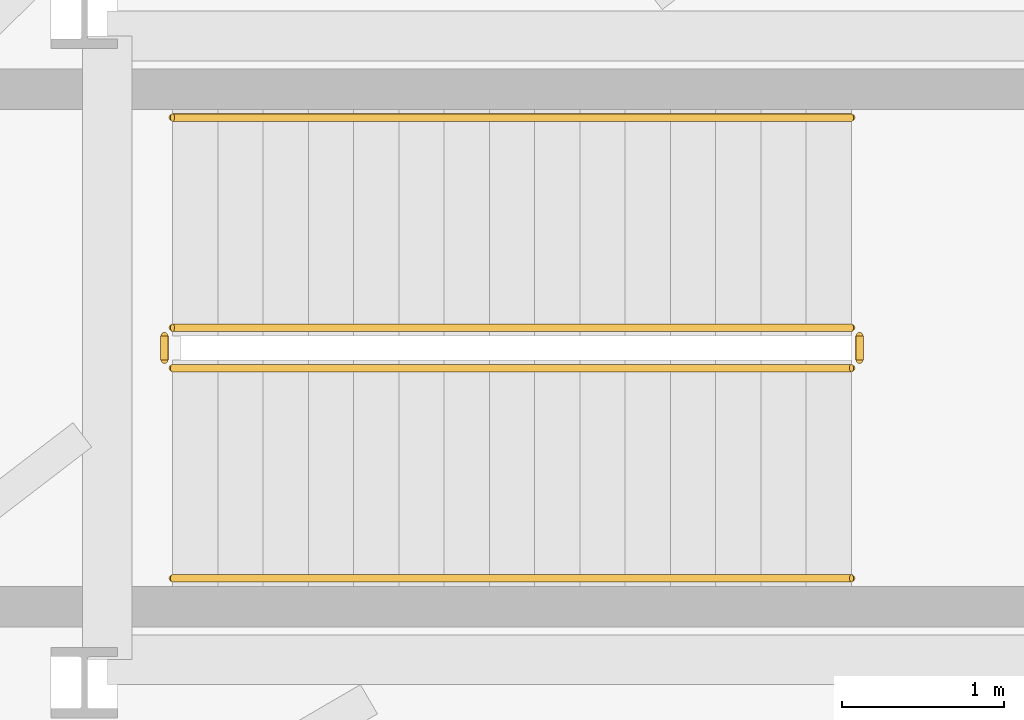
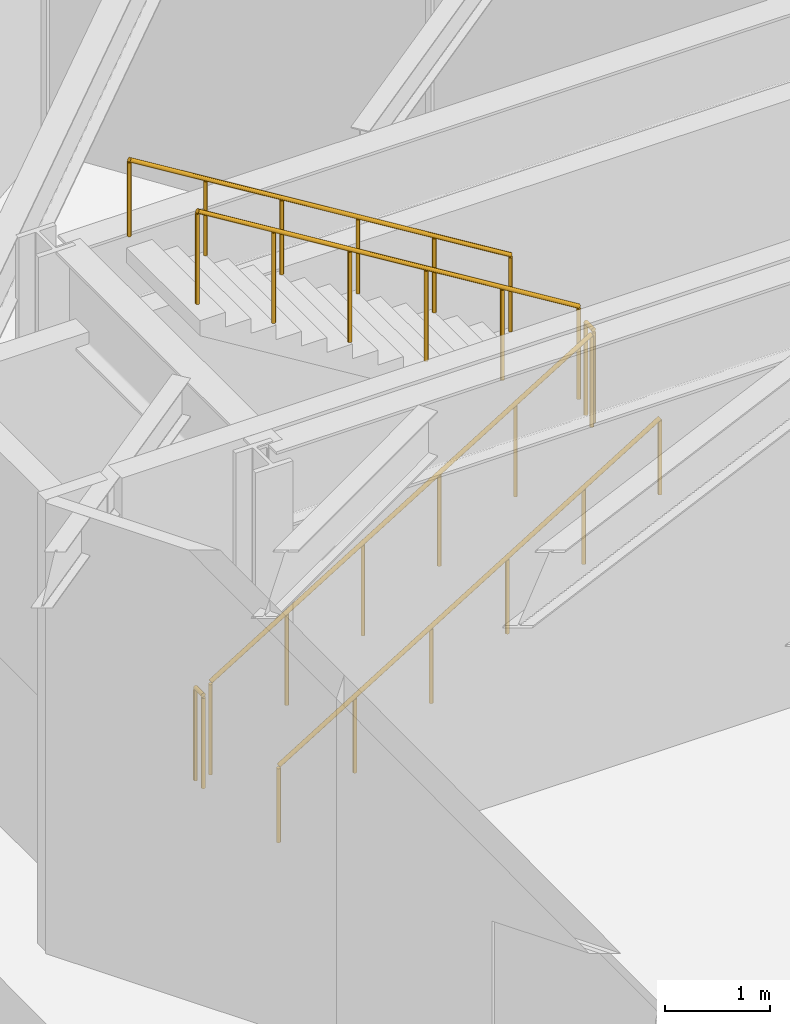
# One storey, part 30 of 30: 6 railings.
"""IFC4 building model written with IfcOpenShell, lengths in metres."""

from ifc_helpers import new_model, si_unit, direction, frame, origin, origin_2d, place, context, subcontext, project, spatial, circle, extrude, material, type_object, element, save


model = new_model("IFC4")

# Units and contexts
model_context = context("Model", 3, precision=1e-05, world=origin(), true_north=direction((0.0, 1.0)))
body_context = subcontext(model_context, "Body", "Model", "MODEL_VIEW")
ifc_project = project(units=[si_unit("LENGTHUNIT", "METRE"), si_unit("AREAUNIT", "SQUARE_METRE"), si_unit("VOLUMEUNIT", "CUBIC_METRE"), si_unit("PLANEANGLEUNIT", "RADIAN"), si_unit("MASSUNIT", "GRAM", prefix="KILO")], contexts=[model_context])

# Site, building, storey
site_placement = place(None, origin())
site = spatial("IfcSite", under=ifc_project, at=site_placement, CompositionType="ELEMENT")
building_placement = place(site_placement, origin())
building = spatial("IfcBuilding", under=site, at=building_placement, Name="Tarnside Tower", CompositionType="ELEMENT")
storey_placement = place(building_placement, frame((0.0, 0.0, 15.0)))
storey = spatial("IfcBuildingStorey", under=building, at=storey_placement, Name="L02", CompositionType="ELEMENT", Elevation=15.0)

# Railings
ifc_material = material(Name="Stainless steel", Category="steel")
railing_type_1 = type_object("IfcRailingType", Name="Podium stair guard 1100", PredefinedType="GUARDRAIL", material=ifc_material)
railing_1_placement = place(storey_placement, frame((15.7900390625, 12.824951171875, 0.171875)))
element("IfcRailing", 1, at=railing_1_placement, inside=storey, type_object=railing_type_1, Name="L02 PS4 stair guard 1", PredefinedType="GUARDRAIL", context=body_context, shape_type="SweptSolid", body=[
    extrude(circle(Radius=0.02392578125, at=origin_2d()), frame((0.0, 0.0, 1.076171875), z_axis=(0.852242915053, 0.0, 0.523146264196), x_axis=(0.0, 1.0, 0.0)), (0.0, 0.0, 1.0), 4.92822265625),
    extrude(circle(Radius=0.02099609375, at=origin_2d()), origin(), (0.0, 0.0, 1.0), 1.052001953125),
    extrude(circle(Radius=0.02099609375, at=origin_2d()), frame((0.840087890625, 0.0, 0.515625)), (0.0, 0.0, 1.0), 1.052001953125),
    extrude(circle(Radius=0.02099609375, at=origin_2d()), frame((1.679931640625, 0.0, 1.03125)), (0.0, 0.0, 1.0), 1.052001953125),
    extrude(circle(Radius=0.02099609375, at=origin_2d()), frame((2.52001953125, 0.0, 1.546875)), (0.0, 0.0, 1.0), 1.052001953125),
    extrude(circle(Radius=0.02099609375, at=origin_2d()), frame((3.35986328125, 0.0, 2.0625)), (0.0, 0.0, 1.0), 1.052001953125),
    extrude(circle(Radius=0.02099609375, at=origin_2d()), frame((4.199951171875, 0.0, 2.578125)), (0.0, 0.0, 1.0), 1.052001953125),
])
railing_2_placement = place(storey_placement, frame((20.0400390625, 12.875, 2.75)))
element("IfcRailing", 2, at=railing_2_placement, inside=storey, type_object=railing_type_1, Name="L02 PS4 stair guard 2", PredefinedType="GUARDRAIL", context=body_context, shape_type="SweptSolid", body=[
    extrude(circle(Radius=0.02392578125, at=origin_2d()), frame((0.0, 0.0, 1.076171875), z_axis=(0.0, 1.0, 0.0), x_axis=(-1.0, 0.0, 0.0)), (0.0, 0.0, 1.0), 0.14990234375),
    extrude(circle(Radius=0.02099609375, at=origin_2d()), origin(), (0.0, 0.0, 1.0), 1.052001953125),
    extrude(circle(Radius=0.02099609375, at=origin_2d()), frame((0.0, 0.14990234375, 0.0)), (0.0, 0.0, 1.0), 1.052001953125),
])
railing_3_placement = place(storey_placement, frame((19.989990234375, 13.074951171875, 2.921875)))
element("IfcRailing", 3, at=railing_3_placement, inside=storey, type_object=railing_type_1, Name="L02 PS4 stair guard 3", PredefinedType="GUARDRAIL", context=body_context, shape_type="SweptSolid", body=[
    extrude(circle(Radius=0.02392578125, at=origin_2d()), frame((0.0, 0.0, 1.076171875), z_axis=(-0.852242915053, 0.0, 0.523146264196), x_axis=(0.0, -1.0, 0.0)), (0.0, 0.0, 1.0), 4.92822265625),
    extrude(circle(Radius=0.02099609375, at=origin_2d()), origin(), (0.0, 0.0, 1.0), 1.052001953125),
    extrude(circle(Radius=0.02099609375, at=origin_2d()), frame((-0.840087890625, 0.0, 0.515625)), (0.0, 0.0, 1.0), 1.052001953125),
    extrude(circle(Radius=0.02099609375, at=origin_2d()), frame((-1.679931640625, 0.0, 1.03125)), (0.0, 0.0, 1.0), 1.052001953125),
    extrude(circle(Radius=0.02099609375, at=origin_2d()), frame((-2.52001953125, 0.0, 1.546875)), (0.0, 0.0, 1.0), 1.052001953125),
    extrude(circle(Radius=0.02099609375, at=origin_2d()), frame((-3.35986328125, 0.0, 2.0625)), (0.0, 0.0, 1.0), 1.052001953125),
    extrude(circle(Radius=0.02099609375, at=origin_2d()), frame((-4.199951171875, 0.0, 2.578125)), (0.0, 0.0, 1.0), 1.052001953125),
])
railing_4_placement = place(storey_placement, frame((15.739990234375, 12.875, 0.0)))
element("IfcRailing", 4, at=railing_4_placement, inside=storey, type_object=railing_type_1, Name="L02 PS4 stair guard 4", PredefinedType="GUARDRAIL", context=body_context, shape_type="SweptSolid", body=[
    extrude(circle(Radius=0.02392578125, at=origin_2d()), frame((0.0, 0.0, 1.076171875), z_axis=(0.0, 1.0, 0.0), x_axis=(-1.0, 0.0, 0.0)), (0.0, 0.0, 1.0), 0.14990234375),
    extrude(circle(Radius=0.02099609375, at=origin_2d()), origin(), (0.0, 0.0, 1.0), 1.052001953125),
    extrude(circle(Radius=0.02099609375, at=origin_2d()), frame((0.0, 0.14990234375, 0.0)), (0.0, 0.0, 1.0), 1.052001953125),
])
railing_type_2 = type_object("IfcRailingType", Name="Podium stair handrail 900", PredefinedType="HANDRAIL", material=ifc_material)
railing_5_placement = place(storey_placement, frame((15.7900390625, 11.52490234375, 0.171875)))
element("IfcRailing", 5, at=railing_5_placement, inside=storey, type_object=railing_type_2, Name="L02 PS4 stair handrail 1", PredefinedType="HANDRAIL", context=body_context, shape_type="SweptSolid", body=[
    extrude(circle(Radius=0.02392578125, at=origin_2d()), frame((0.0, 0.0, 0.8857421875), z_axis=(0.852242915053, 0.0, 0.523146264196), x_axis=(0.0, 1.0, 0.0)), (0.0, 0.0, 1.0), 4.92822265625),
    extrude(circle(Radius=0.02099609375, at=origin_2d()), origin(), (0.0, 0.0, 1.0), 0.86181640625),
    extrude(circle(Radius=0.02099609375, at=origin_2d()), frame((0.840087890625, 0.0, 0.515625)), (0.0, 0.0, 1.0), 0.86181640625),
    extrude(circle(Radius=0.02099609375, at=origin_2d()), frame((1.679931640625, 0.0, 1.03125)), (0.0, 0.0, 1.0), 0.86181640625),
    extrude(circle(Radius=0.02099609375, at=origin_2d()), frame((2.52001953125, 0.0, 1.546875)), (0.0, 0.0, 1.0), 0.86181640625),
    extrude(circle(Radius=0.02099609375, at=origin_2d()), frame((3.35986328125, 0.0, 2.0625)), (0.0, 0.0, 1.0), 0.86181640625),
    extrude(circle(Radius=0.02099609375, at=origin_2d()), frame((4.199951171875, 0.0, 2.578125)), (0.0, 0.0, 1.0), 0.86181640625),
])
railing_6_placement = place(storey_placement, frame((19.989990234375, 14.375, 2.921875)))
element("IfcRailing", 6, at=railing_6_placement, inside=storey, type_object=railing_type_2, Name="L02 PS4 stair handrail 2", PredefinedType="HANDRAIL", context=body_context, shape_type="SweptSolid", body=[
    extrude(circle(Radius=0.02392578125, at=origin_2d()), frame((0.0, 0.0, 0.8857421875), z_axis=(-0.852242915053, 0.0, 0.523146264196), x_axis=(0.0, -1.0, 0.0)), (0.0, 0.0, 1.0), 4.92822265625),
    extrude(circle(Radius=0.02099609375, at=origin_2d()), origin(), (0.0, 0.0, 1.0), 0.86181640625),
    extrude(circle(Radius=0.02099609375, at=origin_2d()), frame((-0.840087890625, 0.0, 0.515625)), (0.0, 0.0, 1.0), 0.86181640625),
    extrude(circle(Radius=0.02099609375, at=origin_2d()), frame((-1.679931640625, 0.0, 1.03125)), (0.0, 0.0, 1.0), 0.86181640625),
    extrude(circle(Radius=0.02099609375, at=origin_2d()), frame((-2.52001953125, 0.0, 1.546875)), (0.0, 0.0, 1.0), 0.86181640625),
    extrude(circle(Radius=0.02099609375, at=origin_2d()), frame((-3.35986328125, 0.0, 2.0625)), (0.0, 0.0, 1.0), 0.86181640625),
    extrude(circle(Radius=0.02099609375, at=origin_2d()), frame((-4.199951171875, 0.0, 2.578125)), (0.0, 0.0, 1.0), 0.86181640625),
])

save(model, "model.ifc")
